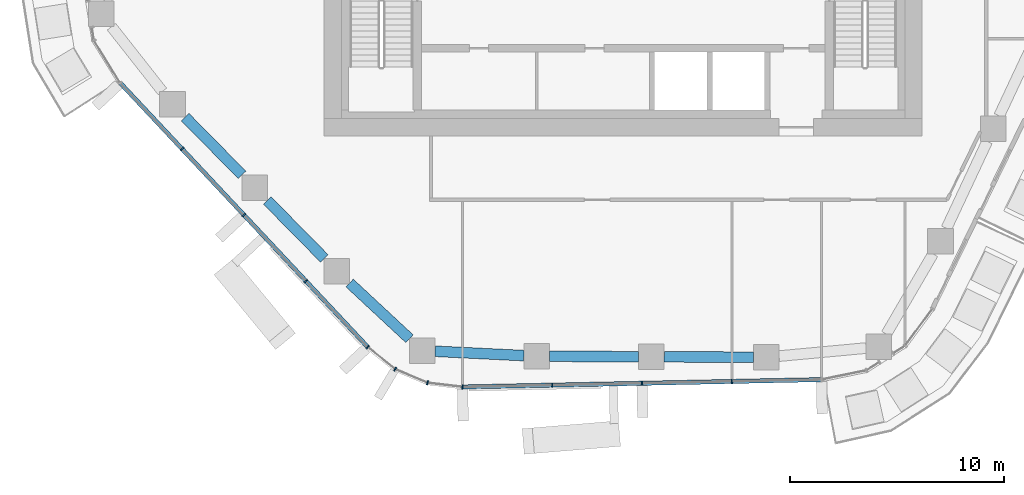
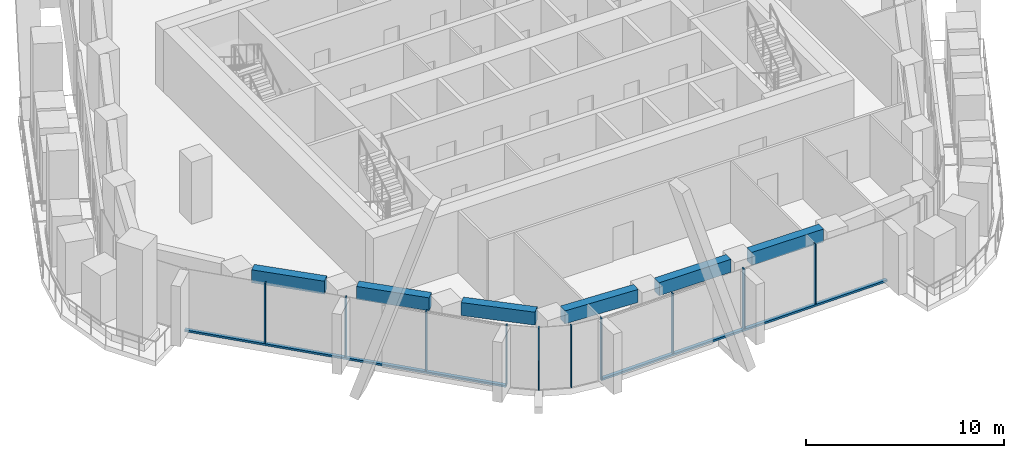
# One storey, part 2 of 18: 12 members, 6 beams, 3 elements without a shape of their own.
"""IFC4 building model written with IfcOpenShell, lengths in metres."""

from ifc_helpers import new_model, si_unit, direction, frame, origin, origin_2d, place, context, subcontext, project, spatial, rectangle, extrude, material, layer, layer_set, material_profile, profile_set, type_object, element, aggregate, save


model = new_model("IFC4")

# Units and contexts
model_context = context("Model", 3, precision=1e-05, world=origin(), true_north=direction((0.0, 1.0)))
body_context = subcontext(model_context, "Body", "Model", "MODEL_VIEW")
ifc_project = project(units=[si_unit("LENGTHUNIT", "METRE"), si_unit("AREAUNIT", "SQUARE_METRE"), si_unit("VOLUMEUNIT", "CUBIC_METRE"), si_unit("PLANEANGLEUNIT", "RADIAN"), si_unit("MASSUNIT", "GRAM", prefix="KILO")], contexts=[model_context])

# Site, building, storey
site_placement = place(None, origin())
site = spatial("IfcSite", under=ifc_project, at=site_placement, CompositionType="ELEMENT")
building_placement = place(site_placement, origin())
building = spatial("IfcBuilding", under=site, at=building_placement, Name="Dongbaek Canopy Tower", CompositionType="ELEMENT")
storey_placement = place(building_placement, frame((0.0, 0.0, 167.0)))
storey = spatial("IfcBuildingStorey", under=building, at=storey_placement, Name="L36", CompositionType="ELEMENT", Elevation=167.0)

# Curtain wall, members
ifc_material_1 = material(Name="Aluminium 6063-T6 pale anodised", Category="aluminium")
ifc_layer = layer(ifc_material_1, 0.199951171875)
ifc_layer_set = layer_set([ifc_layer], Name="CW-1 unitised tower curtain wall")
curtain_wall_type = type_object("IfcCurtainWallType", Name="CW-1 unitised tower curtain wall", PredefinedType="NOTDEFINED", material=ifc_layer_set)
curtain_wall_1_placement = place(storey_placement, origin())
curtain_wall_1 = element("IfcCurtainWall", 1, at=curtain_wall_1_placement, inside=storey, type_object=curtain_wall_type, Name="CW-1 curtain wall F3.1", PredefinedType="NOTDEFINED")
ifc_material_2 = material(Name="Aluminium 6063-T6 pale anodised", Category="aluminium")
ifc_material_profile_1 = material_profile(ifc_material_2, rectangle(XDim=0.199951171875, YDim=0.06005859375, at=origin_2d()), Name="CW-1 mullion 60 x 200")
ifc_profile_set_1 = profile_set([ifc_material_profile_1], Name="Aluminium 6063-T6 pale anodised")
member_type_1 = type_object("IfcMemberType", Name="CW-1 mullion 60 x 200", PredefinedType="MULLION", material=ifc_profile_set_1)
member_1_placement = place(storey_placement, frame((-20.65966796875, -11.615478515625, 0.1201171875), z_axis=(0.0, 0.0, 1.0), x_axis=(-0.729648859062, -0.683822010811, 0.0)))
member_1 = element("IfcMember", 2, at=member_1_placement, type_object=member_type_1, Name="CW-1 mullion F3.1.2", PredefinedType="MULLION", context=body_context, shape_type="SweptSolid", body=[
    extrude(rectangle(XDim=0.199951171875, YDim=0.06005859375, at=origin_2d()), origin(), (0.0, 0.0, 1.0), 3.699951171875),
])
member_2_placement = place(storey_placement, frame((-17.759521484375, -14.7099609375, 0.1201171875), z_axis=(0.0, 0.0, 1.0), x_axis=(-0.729648859062, -0.683822010811, 0.0)))
member_2 = element("IfcMember", 3, at=member_2_placement, type_object=member_type_1, Name="CW-1 mullion F3.1.3", PredefinedType="MULLION", context=body_context, shape_type="SweptSolid", body=[
    extrude(rectangle(XDim=0.199951171875, YDim=0.06005859375, at=origin_2d()), origin(), (0.0, 0.0, 1.0), 3.699951171875),
])
member_3_placement = place(storey_placement, frame((-14.859375, -17.8046875, 0.1201171875), z_axis=(0.0, 0.0, 1.0), x_axis=(-0.729648859062, -0.683822010811, 0.0)))
member_3 = element("IfcMember", 4, at=member_3_placement, type_object=member_type_1, Name="CW-1 mullion F3.1.4", PredefinedType="MULLION", context=body_context, shape_type="SweptSolid", body=[
    extrude(rectangle(XDim=0.199951171875, YDim=0.06005859375, at=origin_2d()), origin(), (0.0, 0.0, 1.0), 3.699951171875),
])
member_4_placement = place(storey_placement, frame((-11.9638671875, -20.89404296875, 0.1201171875), z_axis=(0.0, 0.0, 1.0), x_axis=(-0.729648859062, -0.683822010811, 0.0)))
member_4 = element("IfcMember", 5, at=member_4_placement, type_object=member_type_1, Name="CW-1 mullion F3.1.5", PredefinedType="MULLION", context=body_context, shape_type="SweptSolid", body=[
    extrude(rectangle(XDim=0.199951171875, YDim=0.06005859375, at=origin_2d()), origin(), (0.0, 0.0, 1.0), 3.699951171875),
])

curtain_wall_2_placement = place(storey_placement, origin())
curtain_wall_2 = element("IfcCurtainWall", 6, at=curtain_wall_2_placement, inside=storey, type_object=curtain_wall_type, Name="CW-1 curtain wall K4.1", PredefinedType="NOTDEFINED")
member_5_placement = place(storey_placement, frame((-10.6787109375, -21.92919921875, 0.0), z_axis=(0.0, 0.0, 1.0), x_axis=(-0.512734516055, -0.858547212473, 0.0)))
member_5 = element("IfcMember", 7, at=member_5_placement, type_object=member_type_1, Name="CW-1 mullion K4.1.2", PredefinedType="MULLION", context=body_context, shape_type="SweptSolid", body=[
    extrude(rectangle(XDim=0.199951171875, YDim=0.06005859375, at=origin_2d()), origin(), (0.0, 0.0, 1.0), 3.820068359375),
])
member_6_placement = place(storey_placement, frame((-9.16455078125, -22.567138671875, 0.0), z_axis=(0.0, 0.0, 1.0), x_axis=(-0.256041855885, -0.96666569611, 0.0)))
member_6 = element("IfcMember", 8, at=member_6_placement, type_object=member_type_1, Name="CW-1 mullion K4.1.3", PredefinedType="MULLION", context=body_context, shape_type="SweptSolid", body=[
    extrude(rectangle(XDim=0.199951171875, YDim=0.06005859375, at=origin_2d()), origin(), (0.0, 0.0, 1.0), 3.820068359375),
])
member_7_placement = place(storey_placement, frame((-7.526123046875, -22.763427734375, 0.0), z_axis=(0.0, 0.0, 1.0), x_axis=(-0.11892247734, -0.992903542336, 0.0)))
member_7 = element("IfcMember", 9, at=member_7_placement, type_object=member_type_1, Name="CW-1 mullion K4.1.4", PredefinedType="MULLION", context=body_context, shape_type="SweptSolid", body=[
    extrude(rectangle(XDim=0.199951171875, YDim=0.06005859375, at=origin_2d()), origin(), (0.0, 0.0, 1.0), 3.820068359375),
])
aggregate(curtain_wall_2, [member_5, member_6, member_7])

curtain_wall_3_placement = place(storey_placement, origin())
curtain_wall_3 = element("IfcCurtainWall", 10, at=curtain_wall_3_placement, inside=storey, type_object=curtain_wall_type, Name="CW-1 curtain wall F4.1", PredefinedType="NOTDEFINED")
member_8_placement = place(storey_placement, frame((-3.326416015625, -22.67724609375, 0.1201171875), z_axis=(0.0, 0.0, 1.0), x_axis=(0.020514717954, -0.999789551029, 0.0)))
member_8 = element("IfcMember", 11, at=member_8_placement, type_object=member_type_1, Name="CW-1 mullion F4.1.2", PredefinedType="MULLION", context=body_context, shape_type="SweptSolid", body=[
    extrude(rectangle(XDim=0.199951171875, YDim=0.06005859375, at=origin_2d()), origin(), (0.0, 0.0, 1.0), 3.699951171875),
])
member_9_placement = place(storey_placement, frame((0.880126953125, -22.5908203125, 0.1201171875), z_axis=(0.0, 0.0, 1.0), x_axis=(0.020514717954, -0.999789551029, 0.0)))
member_9 = element("IfcMember", 12, at=member_9_placement, type_object=member_type_1, Name="CW-1 mullion F4.1.3", PredefinedType="MULLION", context=body_context, shape_type="SweptSolid", body=[
    extrude(rectangle(XDim=0.199951171875, YDim=0.06005859375, at=origin_2d()), origin(), (0.0, 0.0, 1.0), 3.699951171875),
])
member_10_placement = place(storey_placement, frame((5.086669921875, -22.504638671875, 0.1201171875), z_axis=(0.0, 0.0, 1.0), x_axis=(0.020514717954, -0.999789551029, 0.0)))
member_10 = element("IfcMember", 13, at=member_10_placement, type_object=member_type_1, Name="CW-1 mullion F4.1.4", PredefinedType="MULLION", context=body_context, shape_type="SweptSolid", body=[
    extrude(rectangle(XDim=0.199951171875, YDim=0.06005859375, at=origin_2d()), origin(), (0.0, 0.0, 1.0), 3.699951171875),
])

# Member
ifc_material_3 = material(Name="Aluminium 6063-T6 pale anodised", Category="aluminium")
ifc_material_profile_2 = material_profile(ifc_material_3, rectangle(XDim=0.199951171875, YDim=0.1201171875, at=origin_2d()), Name="CW-1 transom 120 x 200")
ifc_profile_set_2 = profile_set([ifc_material_profile_2], Name="Aluminium 6063-T6 pale anodised")
member_type_2 = type_object("IfcMemberType", Name="CW-1 transom 120 x 200", PredefinedType="USERDEFINED", material=ifc_profile_set_2)
member_11_placement = place(storey_placement, frame((-23.55322265625, -8.528076171875, 0.06005859375), z_axis=(0.683823720614, -0.729647256642, 0.0), x_axis=(0.729647256642, 0.683823720614, 0.0)))
member_11 = element("IfcMember", 14, at=member_11_placement, type_object=member_type_2, Name="CW-1 transom F3.1.1", ObjectType="TRANSOM", PredefinedType="USERDEFINED", context=body_context, shape_type="SweptSolid", body=[
    extrude(rectangle(XDim=0.199951171875, YDim=0.1201171875, at=origin_2d()), origin(), (0.0, 0.0, 1.0), 16.94775390625),
])

aggregate(curtain_wall_1, [member_1, member_2, member_3, member_4, member_11])

member_12_placement = place(storey_placement, frame((-7.526123046875, -22.763427734375, 0.06005859375), z_axis=(0.99978950285, 0.020517065827, 0.0), x_axis=(-0.020517065827, 0.99978950285, 0.0)))
member_12 = element("IfcMember", 15, at=member_12_placement, type_object=member_type_2, Name="CW-1 transom F4.1.1", ObjectType="TRANSOM", PredefinedType="USERDEFINED", context=body_context, shape_type="SweptSolid", body=[
    extrude(rectangle(XDim=0.199951171875, YDim=0.1201171875, at=origin_2d()), origin(), (0.0, 0.0, 1.0), 16.813720703125),
])

aggregate(curtain_wall_3, [member_8, member_9, member_10, member_12])

# Beams
ifc_material_4 = material(Name="Concrete C70", Category="concrete")
ifc_material_profile_3 = material_profile(ifc_material_4, rectangle(XDim=0.5, YDim=0.800048828125, at=origin_2d()), Name="RC EDGE BEAM 500x800 C70")
ifc_profile_set_3 = profile_set([ifc_material_profile_3], Name="Concrete C70")
beam_type = type_object("IfcBeamType", Name="RC EDGE BEAM 500x800 C70", PredefinedType="BEAM", material=ifc_profile_set_3)
beam_1_placement = place(storey_placement, frame((6.097900390625, -21.369384765625, 3.419921875), z_axis=(-0.999989872655, 0.004500509685, 0.0), x_axis=(-0.004500509685, -0.999989872655, 0.0)))
element("IfcBeam", 16, at=beam_1_placement, inside=storey, type_object=beam_type, Name="EDGEBEAM:L36:01", PredefinedType="BEAM", context=body_context, shape_type="SweptSolid", body=[
    extrude(rectangle(XDim=0.5, YDim=0.800048828125, at=origin_2d()), origin(), (0.0, 0.0, 1.0), 4.177001953125),
])
beam_2_placement = place(storey_placement, frame((0.720947265625, -21.34521484375, 3.419921875), z_axis=(-0.999990129376, 0.004443101423, 0.0), x_axis=(-0.004443101423, -0.999990129376, 0.0)))
element("IfcBeam", 17, at=beam_2_placement, inside=storey, type_object=beam_type, Name="EDGEBEAM:L36:02", PredefinedType="BEAM", context=body_context, shape_type="SweptSolid", body=[
    extrude(rectangle(XDim=0.5, YDim=0.800048828125, at=origin_2d()), origin(), (0.0, 0.0, 1.0), 4.176025390625),
])
beam_3_placement = place(storey_placement, frame((-4.655029296875, -21.29443359375, 3.419921875), z_axis=(-0.998797460552, 0.04902685789, 0.0), x_axis=(-0.04902685789, -0.998797460552, 0.0)))
element("IfcBeam", 18, at=beam_3_placement, inside=storey, type_object=beam_type, Name="EDGEBEAM:L36:03", PredefinedType="BEAM", context=body_context, shape_type="SweptSolid", body=[
    extrude(rectangle(XDim=0.5, YDim=0.800048828125, at=origin_2d()), origin(), (0.0, 0.0, 1.0), 4.157958984375),
])
beam_4_placement = place(storey_placement, frame((-10.008056640625, -20.5029296875, 3.419921875), z_axis=(-0.732259249265, 0.681025984722, 0.0), x_axis=(-0.681025984722, -0.732259249265, 0.0)))
element("IfcBeam", 19, at=beam_4_placement, inside=storey, type_object=beam_type, Name="EDGEBEAM:L36:04", PredefinedType="BEAM", context=body_context, shape_type="SweptSolid", body=[
    extrude(rectangle(XDim=0.5, YDim=0.800048828125, at=origin_2d()), origin(), (0.0, 0.0, 1.0), 3.826416015625),
])
beam_5_placement = place(storey_placement, frame((-14.0009765625, -16.739013671875, 3.419921875), z_axis=(-0.701688575516, 0.71248378437, 0.0), x_axis=(-0.71248378437, -0.701688575516, 0.0)))
element("IfcBeam", 20, at=beam_5_placement, inside=storey, type_object=beam_type, Name="EDGEBEAM:L36:05", PredefinedType="BEAM", context=body_context, shape_type="SweptSolid", body=[
    extrude(rectangle(XDim=0.5, YDim=0.800048828125, at=origin_2d()), origin(), (0.0, 0.0, 1.0), 3.79931640625),
])
beam_6_placement = place(storey_placement, frame((-17.848876953125, -12.83203125, 3.419921875), z_axis=(-0.701721192392, 0.712451660218, 0.0), x_axis=(-0.712451660218, -0.701721192392, 0.0)))
element("IfcBeam", 21, at=beam_6_placement, inside=storey, type_object=beam_type, Name="EDGEBEAM:L36:06", PredefinedType="BEAM", context=body_context, shape_type="SweptSolid", body=[
    extrude(rectangle(XDim=0.5, YDim=0.800048828125, at=origin_2d()), origin(), (0.0, 0.0, 1.0), 3.799560546875),
])

save(model, "model.ifc")
